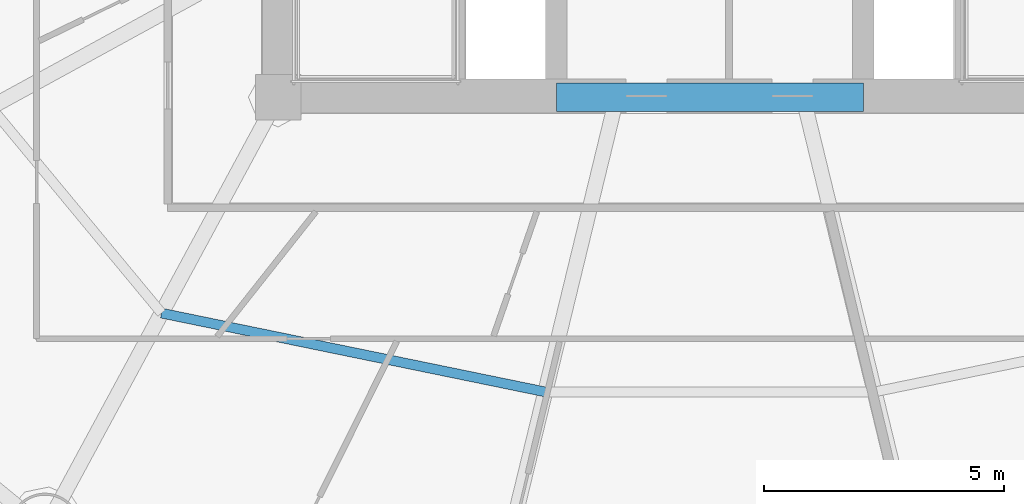
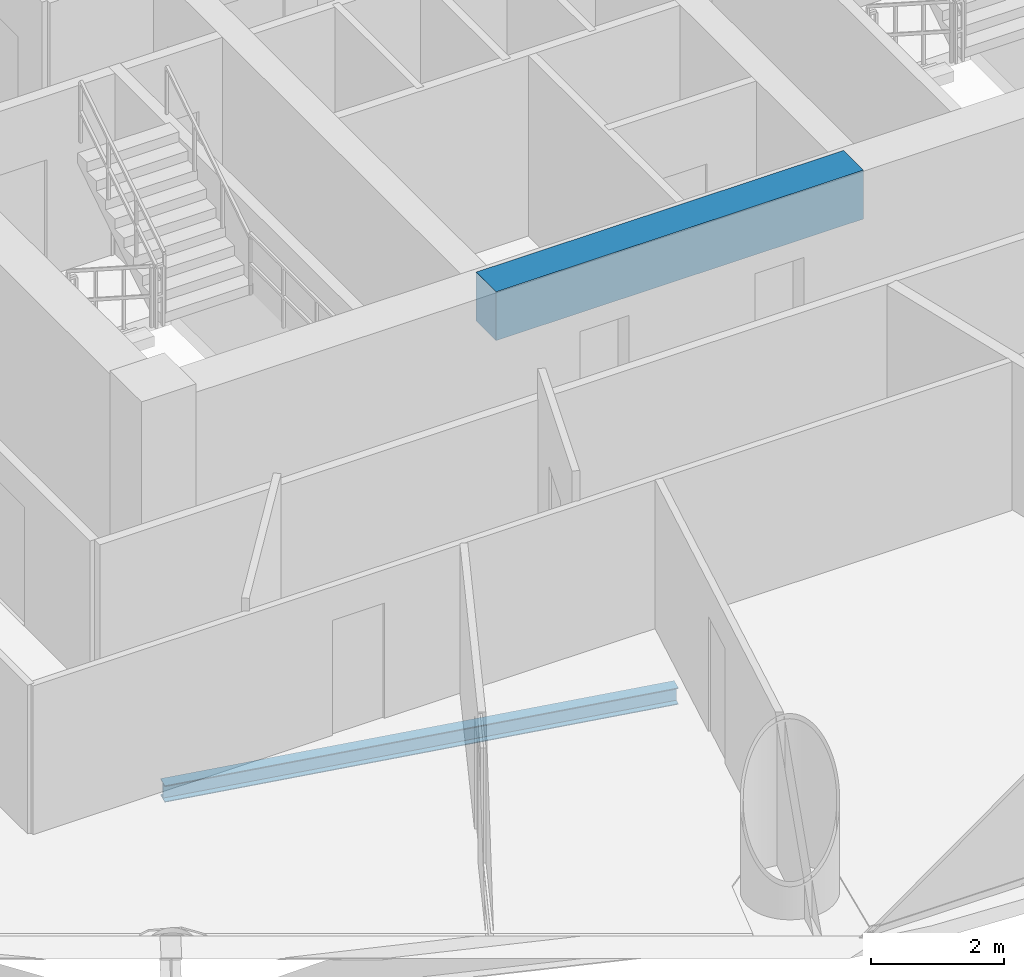
# One storey, part 6 of 29: 2 beams.
"""IFC4 building model written with IfcOpenShell, lengths in metres."""

import ifcopenshell
import ifcopenshell.guid

model = None  # the IFC model being written
_history = None  # IfcOwnerHistory: only IFC2X3 demands one
_inside = {}  # id of a spatial element -> (the spatial element, [elements in it])
_under = {}  # id of a project, library or spatial element -> (it, [spatial elements below it])
_declared = {}  # id of a project -> (the project, [libraries it declares])
_typed = {}  # id of a type object -> (the type object, [elements of that type])
_made_of = {}  # id of a material, layer set ... -> (it, [elements and type objects made of it])


def new_model(schema):
    """Start an empty IFC model of exactly this schema.

    Asked for "IFC4X3", IfcOpenShell would pick the latest addendum, in which some entities
    have other attributes; the version numbers below select the first issue.
    IFC2X3 requires an IfcOwnerHistory on every rooted entity: one is made here for all.
    """
    global model, _history
    if schema == "IFC4X3":
        model = ifcopenshell.file(schema_version=(4, 3, 0, 0))
    else:
        model = ifcopenshell.file(schema=schema)
    _inside.clear()
    _under.clear()
    _declared.clear()
    _typed.clear()
    _made_of.clear()
    _history = None
    if model.schema == "IFC2X3":
        org = make("IfcOrganization", Name="unknown")
        user = make(
            "IfcPersonAndOrganization",
            ThePerson=make("IfcPerson", FamilyName="unknown"),
            TheOrganization=org,
        )
        app = make(
            "IfcApplication",
            ApplicationDeveloper=org,
            Version="unknown",
            ApplicationFullName="unknown",
            ApplicationIdentifier="unknown",
        )
        _history = make(
            "IfcOwnerHistory",
            OwningUser=user,
            OwningApplication=app,
            ChangeAction="ADDED",
            CreationDate=0,
        )
    return model


def make(cls, **values):
    """One entity of the class cls with the attributes given. An attribute that is None is left unset."""
    return model.create_entity(
        cls, **{name: value for name, value in values.items() if value is not None}
    )


def rooted(cls, **values):
    """An entity with a GlobalId (a new one), such as an element, a storey or a relation."""
    return make(cls, GlobalId=ifcopenshell.guid.new(), OwnerHistory=_history, **values)


def si_unit(unit_type, name, prefix=None):
    """IfcSIUnit, for example si_unit("LENGTHUNIT", "METRE", prefix="MILLI")."""
    return make("IfcSIUnit", UnitType=unit_type, Prefix=prefix, Name=name)


def assignment(units):
    """IfcUnitAssignment: the units of a project."""
    return None if units is None else make("IfcUnitAssignment", Units=units)


def point(xyz):
    """IfcCartesianPoint."""
    return None if xyz is None else make("IfcCartesianPoint", Coordinates=xyz)


def direction(xyz):
    """IfcDirection."""
    return None if xyz is None else make("IfcDirection", DirectionRatios=xyz)


def frame(location, z_axis=None, x_axis=None):
    """IfcAxis2Placement3D, a coordinate frame: its origin and axes. An axis left out is left unset."""
    return make(
        "IfcAxis2Placement3D",
        Location=point(location),
        Axis=direction(z_axis),
        RefDirection=direction(x_axis),
    )


def frame_2d(location, x_axis=None):
    """IfcAxis2Placement2D, a coordinate frame in the plane: its origin and x axis."""
    return make(
        "IfcAxis2Placement2D", Location=point(location), RefDirection=direction(x_axis)
    )


def origin():
    """The frame at (0, 0, 0) with its axes left unset."""
    return frame((0.0, 0.0, 0.0))


def origin_2d():
    """The frame at (0, 0) in the plane with its x axis left unset."""
    return frame_2d((0.0, 0.0))


def place(relative_to, where):
    """IfcLocalPlacement: puts the frame where relative to a parent placement (None: the world)."""
    return make(
        "IfcLocalPlacement", PlacementRelTo=relative_to, RelativePlacement=where
    )


def context(
    kind, dimensions, precision=None, world=None, true_north=None, identifier=None
):
    """IfcGeometricRepresentationContext, for example the 3D "Model" context."""
    return make(
        "IfcGeometricRepresentationContext",
        ContextIdentifier=identifier,
        ContextType=kind,
        CoordinateSpaceDimension=dimensions,
        Precision=precision,
        WorldCoordinateSystem=world,
        TrueNorth=true_north,
    )


def subcontext(parent, identifier, kind, view, scale=None):
    """IfcGeometricRepresentationSubContext, for example "Body" below "Model"."""
    return make(
        "IfcGeometricRepresentationSubContext",
        ContextIdentifier=identifier,
        ContextType=kind,
        ParentContext=parent,
        TargetScale=scale,
        TargetView=view,
    )


def project(units=None, contexts=None):
    """IfcProject with its units and contexts."""
    return rooted(
        "IfcProject",
        Name="project",
        RepresentationContexts=contexts,
        UnitsInContext=assignment(units),
    )


def spatial(cls, under=None, at=None, **own):
    """A site, building, storey or space (cls), placed at a placement, below another one or the project."""
    s = rooted(cls, ObjectPlacement=at, **own)
    if under is not None:
        _under.setdefault(under.id(), (under, []))[1].append(s)
    return s


def profile(cls, at=None, kind="AREA", **sizes):
    """A parametric profile (cls). Its sizes go by their IFC names, for example OverallWidth=200.0."""
    return make(cls, ProfileType=kind, Position=at, **sizes)


def rectangle(**sizes):
    """IfcRectangleProfileDef."""
    return profile("IfcRectangleProfileDef", **sizes)


def i_section(**sizes):
    """IfcIShapeProfileDef."""
    return profile("IfcIShapeProfileDef", **sizes)


def extrude(swept, where, along, depth):
    """IfcExtrudedAreaSolid: the profile swept, set in the frame where, extruded along a direction by depth."""
    return make(
        "IfcExtrudedAreaSolid",
        SweptArea=swept,
        Position=where,
        ExtrudedDirection=direction(along),
        Depth=depth,
    )


def shape(context_of_items, identifier, shape_type, items):
    """IfcShapeRepresentation: the items that make up one representation, for example the "Body"."""
    return make(
        "IfcShapeRepresentation",
        ContextOfItems=context_of_items,
        RepresentationIdentifier=identifier,
        RepresentationType=shape_type,
        Items=items,
    )


def material(Name=None, Category=None):
    """IfcMaterial."""
    return make("IfcMaterial", Name=Name, Category=Category)


def material_profile(
    of_material, cross_section, Name=None, Category=None, Priority=None
):
    """IfcMaterialProfile: a cross section and its material."""
    return make(
        "IfcMaterialProfile",
        Name=Name,
        Material=of_material,
        Profile=cross_section,
        Priority=Priority,
        Category=Category,
    )


def profile_set(profiles, Name=None, composite=None):
    """IfcMaterialProfileSet."""
    return make(
        "IfcMaterialProfileSet",
        Name=Name,
        MaterialProfiles=profiles,
        CompositeProfile=composite,
    )


def made_of(thing, what):
    """Note that an element or type object is made of a material, layer set ...; save() writes the relation."""
    if what is not None:
        _made_of.setdefault(what.id(), (what, []))[1].append(thing)
    return thing


def type_object(cls, material=None, **own):
    """A type object (cls), such as IfcWallType, which elements share."""
    return made_of(rooted(cls, **own), material)


def element(
    cls,
    number,
    at=None,
    inside=None,
    cuts=None,
    type_object=None,
    material=None,
    context=None,
    identifier="Body",
    shape_type=None,
    held_by="IfcProductDefinitionShape",
    body=None,
    shapes=None,
    **own,
):
    """One element of the class cls, such as IfcWall. Its Tag is "e" and its number.

    at: its placement. inside: the storey or other place that contains it. cuts: it is an
    opening in that element (IfcRelVoidsElement). A single representation is given by context,
    identifier, shape_type and body (its items); several are given by shapes. held_by: the class
    of the entity that holds the representations. save() writes the other relations.
    """
    e = rooted(cls, Tag="e%d" % number, ObjectPlacement=at, **own)
    if body is not None:
        shapes = [shape(context, identifier, shape_type, body)]
    if shapes is not None:
        e.Representation = make(held_by, Representations=shapes)
    if inside is not None:
        _inside.setdefault(inside.id(), (inside, []))[1].append(e)
    if cuts is not None:
        rooted(
            "IfcRelVoidsElement", RelatingBuildingElement=cuts, RelatedOpeningElement=e
        )
    if type_object is not None:
        _typed.setdefault(type_object.id(), (type_object, []))[1].append(e)
    return made_of(e, material)


def aggregate(whole, parts):
    """IfcRelAggregates: a whole, such as a stair, and the parts it consists of."""
    return rooted("IfcRelAggregates", RelatingObject=whole, RelatedObjects=parts)


def save(model, path):
    """Write the relations noted so far, then the file.

    IfcRelAggregates (storeys below a building ...), IfcRelContainedInSpatialStructure (elements
    in a storey), IfcRelDefinesByType, IfcRelAssociatesMaterial and IfcRelDeclares: one each for
    every whole, place, type object, material and project.
    """
    for whole, parts in _under.values():
        aggregate(whole, parts)
    for where, things in _inside.values():
        rooted(
            "IfcRelContainedInSpatialStructure",
            RelatedElements=things,
            RelatingStructure=where,
        )
    for kind, things in _typed.values():
        rooted("IfcRelDefinesByType", RelatedObjects=things, RelatingType=kind)
    for what, things in _made_of.values():
        rooted("IfcRelAssociatesMaterial", RelatedObjects=things, RelatingMaterial=what)
    for by, libraries in _declared.values():
        rooted("IfcRelDeclares", RelatingContext=by, RelatedDefinitions=libraries)
    model.write(path)


model = new_model("IFC4")

# Units and contexts
model_context = context("Model", 3, precision=1e-05, world=origin(), true_north=direction((-0.2419218956, 0.970295726276)))
body_context = subcontext(model_context, "Body", "Model", "MODEL_VIEW")
ifc_project = project(units=[si_unit("LENGTHUNIT", "METRE"), si_unit("AREAUNIT", "SQUARE_METRE"), si_unit("VOLUMEUNIT", "CUBIC_METRE"), si_unit("PLANEANGLEUNIT", "RADIAN"), si_unit("MASSUNIT", "GRAM", prefix="KILO")], contexts=[model_context])

# Site, building, storey
site_placement = place(None, origin())
site = spatial("IfcSite", under=ifc_project, at=site_placement, CompositionType="ELEMENT")
building_placement = place(site_placement, origin())
building = spatial("IfcBuilding", under=site, at=building_placement, Name="Cobrevalo Terracotta Tower", CompositionType="ELEMENT")
storey_placement = place(building_placement, frame((0.0, 0.0, 87.0)))
storey = spatial("IfcBuildingStorey", under=building, at=storey_placement, Name="L22", CompositionType="ELEMENT", Elevation=87.0)

# Beams
ifc_material_1 = material(Name="Concrete C60", Category="concrete")
ifc_material_profile_1 = material_profile(ifc_material_1, rectangle(XDim=0.60009765625, YDim=0.89990234375, at=origin_2d()), Name="RC CB 600x900")
ifc_profile_set_1 = profile_set([ifc_material_profile_1], Name="Concrete C60")
beam_type_1 = type_object("IfcBeamType", Name="Structural Beam RC CB 600x900 (Concrete C60)", PredefinedType="BEAM", material=ifc_profile_set_1)
beam_1_placement = place(storey_placement, frame((34.800048828125, 18.800048828125, 2.875), z_axis=(1.0, 0.0, 0.0), x_axis=(0.0, 1.0, 0.0)))
element("IfcBeam", 1, at=beam_1_placement, inside=storey, type_object=beam_type_1, Name="L22 core coupling beam 1", PredefinedType="BEAM", context=body_context, shape_type="SweptSolid", body=[
    extrude(rectangle(XDim=0.60009765625, YDim=0.89990234375, at=origin_2d()), origin(), (0.0, 0.0, 1.0), 6.39990234375),
])
ifc_material_2 = material(Name="Steel S355", Category="steel")
ifc_material_profile_2 = material_profile(ifc_material_2, i_section(OverallWidth=0.2041015625, OverallDepth=0.305908203125, WebThickness=0.008544921875, FlangeThickness=0.0146484375, at=origin_2d()), Name="W 310x67")
ifc_profile_set_2 = profile_set([ifc_material_profile_2], Name="Steel S355")
beam_type_2 = type_object("IfcBeamType", Name="Structural Joist W 310x67 (Steel S355)", PredefinedType="JOIST", material=ifc_profile_set_2)
beam_2_placement = place(storey_placement, frame((26.5693359375, 14.29833984375, -0.427978515625), z_axis=(0.979574469315, -0.201081722357, 0.0), x_axis=(0.201081722357, 0.979574469315, 0.0)))
element("IfcBeam", 2, at=beam_2_placement, inside=storey, type_object=beam_type_2, Name="L22 circumferential secondary floor joist 11", PredefinedType="JOIST", context=body_context, shape_type="SweptSolid", body=[
    extrude(i_section(OverallWidth=0.2041015625, OverallDepth=0.305908203125, WebThickness=0.008544921875, FlangeThickness=0.0146484375, at=origin_2d()), origin(), (0.0, 0.0, 1.0), 8.1650390625),
])

save(model, "model.ifc")
